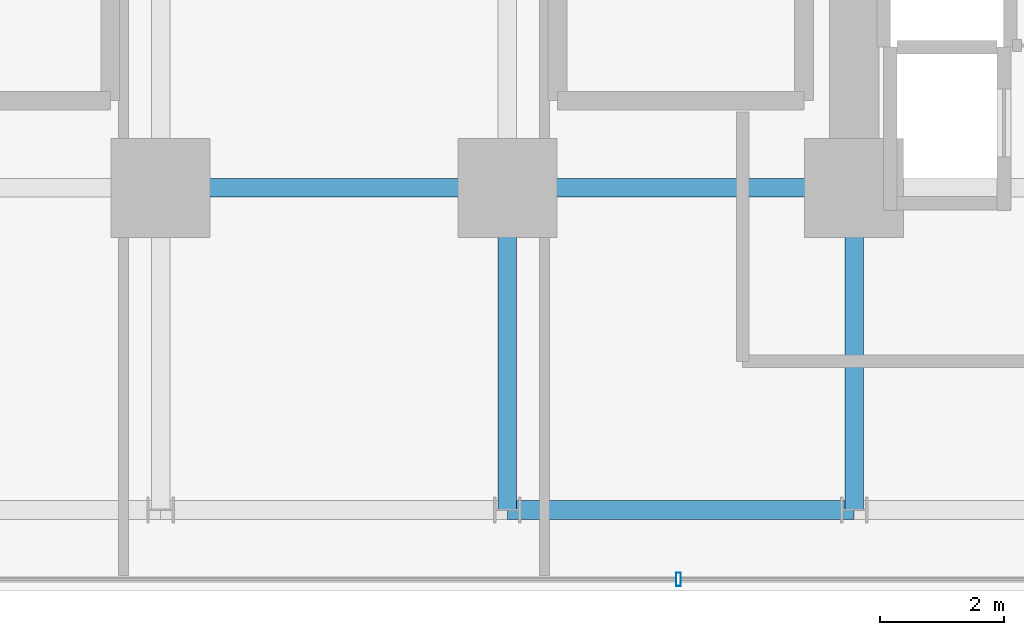
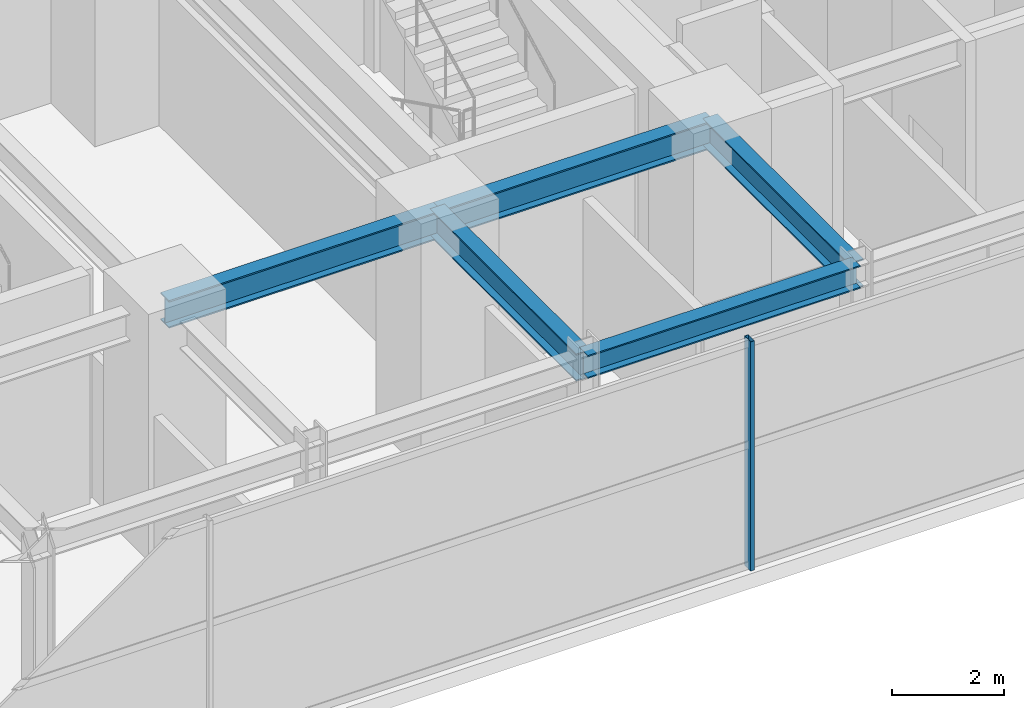
# One storey, part 12 of 35: 5 beams, 1 member, 1 element without a shape of its own.
"""IFC4 building model written with IfcOpenShell, lengths in metres."""

import ifcopenshell
import ifcopenshell.guid

model = None  # the IFC model being written
_history = None  # IfcOwnerHistory: only IFC2X3 demands one
_inside = {}  # id of a spatial element -> (the spatial element, [elements in it])
_under = {}  # id of a project, library or spatial element -> (it, [spatial elements below it])
_declared = {}  # id of a project -> (the project, [libraries it declares])
_typed = {}  # id of a type object -> (the type object, [elements of that type])
_made_of = {}  # id of a material, layer set ... -> (it, [elements and type objects made of it])


def new_model(schema):
    """Start an empty IFC model of exactly this schema.

    Asked for "IFC4X3", IfcOpenShell would pick the latest addendum, in which some entities
    have other attributes; the version numbers below select the first issue.
    IFC2X3 requires an IfcOwnerHistory on every rooted entity: one is made here for all.
    """
    global model, _history
    if schema == "IFC4X3":
        model = ifcopenshell.file(schema_version=(4, 3, 0, 0))
    else:
        model = ifcopenshell.file(schema=schema)
    _inside.clear()
    _under.clear()
    _declared.clear()
    _typed.clear()
    _made_of.clear()
    _history = None
    if model.schema == "IFC2X3":
        org = make("IfcOrganization", Name="unknown")
        user = make(
            "IfcPersonAndOrganization",
            ThePerson=make("IfcPerson", FamilyName="unknown"),
            TheOrganization=org,
        )
        app = make(
            "IfcApplication",
            ApplicationDeveloper=org,
            Version="unknown",
            ApplicationFullName="unknown",
            ApplicationIdentifier="unknown",
        )
        _history = make(
            "IfcOwnerHistory",
            OwningUser=user,
            OwningApplication=app,
            ChangeAction="ADDED",
            CreationDate=0,
        )
    return model


def make(cls, **values):
    """One entity of the class cls with the attributes given. An attribute that is None is left unset."""
    return model.create_entity(
        cls, **{name: value for name, value in values.items() if value is not None}
    )


def rooted(cls, **values):
    """An entity with a GlobalId (a new one), such as an element, a storey or a relation."""
    return make(cls, GlobalId=ifcopenshell.guid.new(), OwnerHistory=_history, **values)


def si_unit(unit_type, name, prefix=None):
    """IfcSIUnit, for example si_unit("LENGTHUNIT", "METRE", prefix="MILLI")."""
    return make("IfcSIUnit", UnitType=unit_type, Prefix=prefix, Name=name)


def assignment(units):
    """IfcUnitAssignment: the units of a project."""
    return None if units is None else make("IfcUnitAssignment", Units=units)


def point(xyz):
    """IfcCartesianPoint."""
    return None if xyz is None else make("IfcCartesianPoint", Coordinates=xyz)


def direction(xyz):
    """IfcDirection."""
    return None if xyz is None else make("IfcDirection", DirectionRatios=xyz)


def frame(location, z_axis=None, x_axis=None):
    """IfcAxis2Placement3D, a coordinate frame: its origin and axes. An axis left out is left unset."""
    return make(
        "IfcAxis2Placement3D",
        Location=point(location),
        Axis=direction(z_axis),
        RefDirection=direction(x_axis),
    )


def frame_2d(location, x_axis=None):
    """IfcAxis2Placement2D, a coordinate frame in the plane: its origin and x axis."""
    return make(
        "IfcAxis2Placement2D", Location=point(location), RefDirection=direction(x_axis)
    )


def origin():
    """The frame at (0, 0, 0) with its axes left unset."""
    return frame((0.0, 0.0, 0.0))


def origin_2d():
    """The frame at (0, 0) in the plane with its x axis left unset."""
    return frame_2d((0.0, 0.0))


def place(relative_to, where):
    """IfcLocalPlacement: puts the frame where relative to a parent placement (None: the world)."""
    return make(
        "IfcLocalPlacement", PlacementRelTo=relative_to, RelativePlacement=where
    )


def context(
    kind, dimensions, precision=None, world=None, true_north=None, identifier=None
):
    """IfcGeometricRepresentationContext, for example the 3D "Model" context."""
    return make(
        "IfcGeometricRepresentationContext",
        ContextIdentifier=identifier,
        ContextType=kind,
        CoordinateSpaceDimension=dimensions,
        Precision=precision,
        WorldCoordinateSystem=world,
        TrueNorth=true_north,
    )


def subcontext(parent, identifier, kind, view, scale=None):
    """IfcGeometricRepresentationSubContext, for example "Body" below "Model"."""
    return make(
        "IfcGeometricRepresentationSubContext",
        ContextIdentifier=identifier,
        ContextType=kind,
        ParentContext=parent,
        TargetScale=scale,
        TargetView=view,
    )


def project(units=None, contexts=None):
    """IfcProject with its units and contexts."""
    return rooted(
        "IfcProject",
        Name="project",
        RepresentationContexts=contexts,
        UnitsInContext=assignment(units),
    )


def spatial(cls, under=None, at=None, **own):
    """A site, building, storey or space (cls), placed at a placement, below another one or the project."""
    s = rooted(cls, ObjectPlacement=at, **own)
    if under is not None:
        _under.setdefault(under.id(), (under, []))[1].append(s)
    return s


def profile(cls, at=None, kind="AREA", **sizes):
    """A parametric profile (cls). Its sizes go by their IFC names, for example OverallWidth=200.0."""
    return make(cls, ProfileType=kind, Position=at, **sizes)


def hollow_rectangle(**sizes):
    """IfcRectangleHollowProfileDef."""
    return profile("IfcRectangleHollowProfileDef", **sizes)


def i_section(**sizes):
    """IfcIShapeProfileDef."""
    return profile("IfcIShapeProfileDef", **sizes)


def extrude(swept, where, along, depth):
    """IfcExtrudedAreaSolid: the profile swept, set in the frame where, extruded along a direction by depth."""
    return make(
        "IfcExtrudedAreaSolid",
        SweptArea=swept,
        Position=where,
        ExtrudedDirection=direction(along),
        Depth=depth,
    )


def shape(context_of_items, identifier, shape_type, items):
    """IfcShapeRepresentation: the items that make up one representation, for example the "Body"."""
    return make(
        "IfcShapeRepresentation",
        ContextOfItems=context_of_items,
        RepresentationIdentifier=identifier,
        RepresentationType=shape_type,
        Items=items,
    )


def source(mapping_origin, context_of_items, identifier, shape_type, items):
    """IfcRepresentationMap: a shape defined once, which mapped items show again and again."""
    return make(
        "IfcRepresentationMap",
        MappingOrigin=mapping_origin,
        MappedRepresentation=shape(context_of_items, identifier, shape_type, items),
    )


def transform(
    local_origin,
    x_axis=None,
    y_axis=None,
    z_axis=None,
    scale=None,
    scale2=None,
    scale3=None,
    uniform=True,
):
    """IfcCartesianTransformationOperator3D, or its non-uniform kind. x_axis, y_axis, z_axis: its Axis1, 2, 3."""
    if uniform:
        return make(
            "IfcCartesianTransformationOperator3D",
            Axis1=direction(x_axis),
            Axis2=direction(y_axis),
            LocalOrigin=point(local_origin),
            Scale=scale,
            Axis3=direction(z_axis),
        )
    return make(
        "IfcCartesianTransformationOperator3DnonUniform",
        Axis1=direction(x_axis),
        Axis2=direction(y_axis),
        LocalOrigin=point(local_origin),
        Scale=scale,
        Axis3=direction(z_axis),
        Scale2=scale2,
        Scale3=scale3,
    )


def mapped(mapping_source, mapping_target):
    """IfcMappedItem: shows the shape of a source again, moved by a transform."""
    return make(
        "IfcMappedItem", MappingSource=mapping_source, MappingTarget=mapping_target
    )


def material(Name=None, Category=None):
    """IfcMaterial."""
    return make("IfcMaterial", Name=Name, Category=Category)


def material_profile(
    of_material, cross_section, Name=None, Category=None, Priority=None
):
    """IfcMaterialProfile: a cross section and its material."""
    return make(
        "IfcMaterialProfile",
        Name=Name,
        Material=of_material,
        Profile=cross_section,
        Priority=Priority,
        Category=Category,
    )


def profile_set(profiles, Name=None, composite=None):
    """IfcMaterialProfileSet."""
    return make(
        "IfcMaterialProfileSet",
        Name=Name,
        MaterialProfiles=profiles,
        CompositeProfile=composite,
    )


def made_of(thing, what):
    """Note that an element or type object is made of a material, layer set ...; save() writes the relation."""
    if what is not None:
        _made_of.setdefault(what.id(), (what, []))[1].append(thing)
    return thing


def type_object(cls, material=None, **own):
    """A type object (cls), such as IfcWallType, which elements share."""
    return made_of(rooted(cls, **own), material)


def element(
    cls,
    number,
    at=None,
    inside=None,
    cuts=None,
    type_object=None,
    material=None,
    context=None,
    identifier="Body",
    shape_type=None,
    held_by="IfcProductDefinitionShape",
    body=None,
    shapes=None,
    **own,
):
    """One element of the class cls, such as IfcWall. Its Tag is "e" and its number.

    at: its placement. inside: the storey or other place that contains it. cuts: it is an
    opening in that element (IfcRelVoidsElement). A single representation is given by context,
    identifier, shape_type and body (its items); several are given by shapes. held_by: the class
    of the entity that holds the representations. save() writes the other relations.
    """
    e = rooted(cls, Tag="e%d" % number, ObjectPlacement=at, **own)
    if body is not None:
        shapes = [shape(context, identifier, shape_type, body)]
    if shapes is not None:
        e.Representation = make(held_by, Representations=shapes)
    if inside is not None:
        _inside.setdefault(inside.id(), (inside, []))[1].append(e)
    if cuts is not None:
        rooted(
            "IfcRelVoidsElement", RelatingBuildingElement=cuts, RelatedOpeningElement=e
        )
    if type_object is not None:
        _typed.setdefault(type_object.id(), (type_object, []))[1].append(e)
    return made_of(e, material)


def aggregate(whole, parts):
    """IfcRelAggregates: a whole, such as a stair, and the parts it consists of."""
    return rooted("IfcRelAggregates", RelatingObject=whole, RelatedObjects=parts)


def save(model, path):
    """Write the relations noted so far, then the file.

    IfcRelAggregates (storeys below a building ...), IfcRelContainedInSpatialStructure (elements
    in a storey), IfcRelDefinesByType, IfcRelAssociatesMaterial and IfcRelDeclares: one each for
    every whole, place, type object, material and project.
    """
    for whole, parts in _under.values():
        aggregate(whole, parts)
    for where, things in _inside.values():
        rooted(
            "IfcRelContainedInSpatialStructure",
            RelatedElements=things,
            RelatingStructure=where,
        )
    for kind, things in _typed.values():
        rooted("IfcRelDefinesByType", RelatedObjects=things, RelatingType=kind)
    for what, things in _made_of.values():
        rooted("IfcRelAssociatesMaterial", RelatedObjects=things, RelatingMaterial=what)
    for by, libraries in _declared.values():
        rooted("IfcRelDeclares", RelatingContext=by, RelatedDefinitions=libraries)
    model.write(path)


model = new_model("IFC4")

# Units and contexts
model_context = context("Model", 3, precision=1e-05, world=origin(), true_north=direction((0.0, 1.0)))
body_context = subcontext(model_context, "Body", "Model", "MODEL_VIEW")
ifc_project = project(units=[si_unit("LENGTHUNIT", "METRE"), si_unit("AREAUNIT", "SQUARE_METRE"), si_unit("VOLUMEUNIT", "CUBIC_METRE"), si_unit("PLANEANGLEUNIT", "RADIAN"), si_unit("MASSUNIT", "GRAM", prefix="KILO")], contexts=[model_context])

# Site, building, storey
site_placement = place(None, origin())
site = spatial("IfcSite", under=ifc_project, at=site_placement, CompositionType="ELEMENT")
building_placement = place(site_placement, origin())
building = spatial("IfcBuilding", under=site, at=building_placement, Name="Nahalor Promenade Grand Hotel", CompositionType="ELEMENT")
storey_placement = place(building_placement, frame((0.0, 0.0, 21.60009765625)))
storey = spatial("IfcBuildingStorey", under=building, at=storey_placement, Name="L04", CompositionType="ELEMENT", Elevation=21.60009765625)

# Beams
ifc_material_1 = material(Name="Steel S355JR", Category="steel")
ifc_material_profile_1 = material_profile(ifc_material_1, i_section(OverallWidth=0.3, OverallDepth=0.6, WebThickness=0.0155, FlangeThickness=0.03, at=origin_2d()), Name="HEB 600")
ifc_profile_set_1 = profile_set([ifc_material_profile_1], Name="Steel S355JR")
beam_type_1 = type_object("IfcBeamType", Name="Beam-Girder-HEB600", PredefinedType="BEAM", material=ifc_profile_set_1)
shared_shape_1 = source(origin(), body_context, "Body", "SweptSolid", [
    extrude(i_section(OverallWidth=0.3, OverallDepth=0.6, WebThickness=0.0155, FlangeThickness=0.03, at=origin_2d()), origin(), (0.0, 0.0, 1.0), 5.599853515625),
])
beam_1_placement = place(storey_placement, frame((2.800048828125, -17.0, 4.679931640625), z_axis=(1.0, 0.0, 0.0), x_axis=(0.0, 1.0, 0.0)))
element("IfcBeam", 1, at=beam_1_placement, inside=storey, type_object=beam_type_1, Name="BM-L04-GX-0-5", PredefinedType="BEAM", context=body_context, shape_type="MappedRepresentation", body=[
    mapped(shared_shape_1, transform((0.0, 0.0, 0.0), scale=1.0)),
])
shared_shape_2 = source(origin(), body_context, "Body", "SweptSolid", [
    extrude(i_section(OverallWidth=0.3, OverallDepth=0.6, WebThickness=0.0155, FlangeThickness=0.03, at=origin_2d()), origin(), (0.0, 0.0, 1.0), 5.60009765625),
])
beam_2_placement = place(storey_placement, frame((-2.800048828125, -17.0, 4.679931640625), z_axis=(1.0, 0.0, 0.0), x_axis=(0.0, 1.0, 0.0)))
element("IfcBeam", 2, at=beam_2_placement, inside=storey, type_object=beam_type_1, Name="BM-L04-GX-0-4", PredefinedType="BEAM", context=body_context, shape_type="MappedRepresentation", body=[
    mapped(shared_shape_2, transform((0.0, 0.0, 0.0), scale=1.0)),
])
shared_shape_3 = source(origin(), body_context, "Body", "SweptSolid", [
    extrude(i_section(OverallWidth=0.3, OverallDepth=0.6, WebThickness=0.0155, FlangeThickness=0.03, at=origin_2d()), origin(), (0.0, 0.0, 1.0), 5.199951171875),
])
for number, where, z_axis, x_axis, name in (
    (3, (2.800048828125, -22.199951171875, 4.679931640625), (0.0, 1.0, 0.0), (-1.0, 0.0, 0.0), "BM-L04-GY-3-0"),
    (4, (8.39990234375, -22.199951171875, 4.679931640625), (0.0, 1.0, 0.0), (-1.0, 0.0, 0.0), "BM-L04-GY-4-0"),
):
    element("IfcBeam", number, at=place(storey_placement, frame(where, z_axis=z_axis, x_axis=x_axis)), inside=storey, type_object=beam_type_1, Name=name, PredefinedType="BEAM", context=body_context, shape_type="MappedRepresentation", body=[
        mapped(shared_shape_3, transform((0.0, 0.0, 0.0), scale=1.0)),
    ])
ifc_material_profile_2 = material_profile(ifc_material_1, i_section(OverallWidth=0.3, OverallDepth=0.5, WebThickness=0.0145, FlangeThickness=0.028, at=origin_2d()), Name="HEB 500")
ifc_profile_set_2 = profile_set([ifc_material_profile_2], Name="Steel S355JR")
beam_type_2 = type_object("IfcBeamType", Name="Beam-Spandrel-HEB500", PredefinedType="SPANDREL", material=ifc_profile_set_2)
shared_shape_4 = source(origin(), body_context, "Body", "SweptSolid", [
    extrude(i_section(OverallWidth=0.3, OverallDepth=0.5, WebThickness=0.0145, FlangeThickness=0.028, at=origin_2d()), origin(), (0.0, 0.0, 1.0), 5.599853515625),
])
beam_3_placement = place(storey_placement, frame((2.800048828125, -22.199951171875, 4.72998046875), z_axis=(1.0, 0.0, 0.0), x_axis=(0.0, 1.0, 0.0)))
element("IfcBeam", 5, at=beam_3_placement, inside=storey, type_object=beam_type_2, Name="BM-L04-SP-S-3", PredefinedType="SPANDREL", context=body_context, shape_type="MappedRepresentation", body=[
    mapped(shared_shape_4, transform((0.0, 0.0, 0.0), scale=1.0)),
])

# Curtain wall, member
ifc_material_2 = material(Name="Anodised Bronze Aluminium EN AW-6063 T6", Category="aluminium")
curtain_wall_type = type_object("IfcCurtainWallType", Name="CW1 Waterfront Podium Bronze Arcade Curtain Wall", PredefinedType="USERDEFINED", material=ifc_material_2)
curtain_wall_placement = place(storey_placement, origin())
curtain_wall = element("IfcCurtainWall", 6, at=curtain_wall_placement, inside=storey, type_object=curtain_wall_type, Name="L04 Curtain Wall CW-L04-S", ObjectType="UNITISED_CURTAIN_WALL", PredefinedType="USERDEFINED")
ifc_material_profile_3 = material_profile(ifc_material_2, hollow_rectangle(XDim=0.08, YDim=0.22, WallThickness=0.005, at=origin_2d()), Name="CWM 80x220x5")
ifc_profile_set_3 = profile_set([ifc_material_profile_3], Name="Anodised Bronze Aluminium EN AW-6063 T6")
member_type = type_object("IfcMemberType", Name="CWM1 Podium Bronze Mullion 80x220", PredefinedType="MULLION", material=ifc_profile_set_3)
shared_shape_5 = source(origin(), body_context, "Body", "SweptSolid", [
    extrude(hollow_rectangle(XDim=0.08, YDim=0.22, WallThickness=0.005, at=origin_2d()), origin(), (0.0, 0.0, 1.0), 4.97998046875),
])
member_placement = place(storey_placement, frame((5.56396484375, -23.320068359375, 0.0), z_axis=(0.0, 0.0, 1.0), x_axis=(1.0, 0.0, 0.0)))
member = element("IfcMember", 7, at=member_placement, type_object=member_type, Name="CW-L04-S Mullion 3", PredefinedType="MULLION", context=body_context, shape_type="MappedRepresentation", body=[
    mapped(shared_shape_5, transform((0.0, 0.0, 0.0), scale=1.0)),
])
aggregate(curtain_wall, [member])

save(model, "model.ifc")
